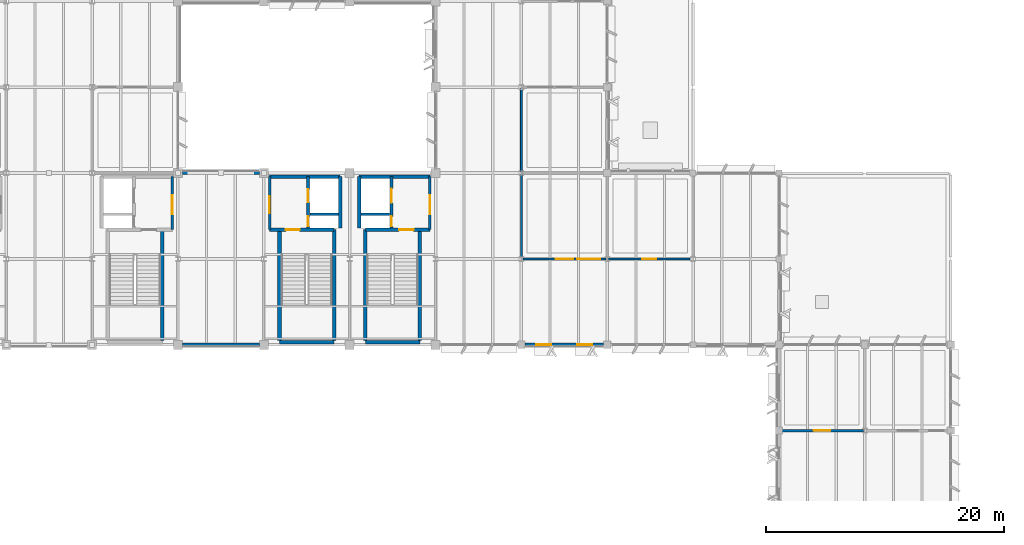
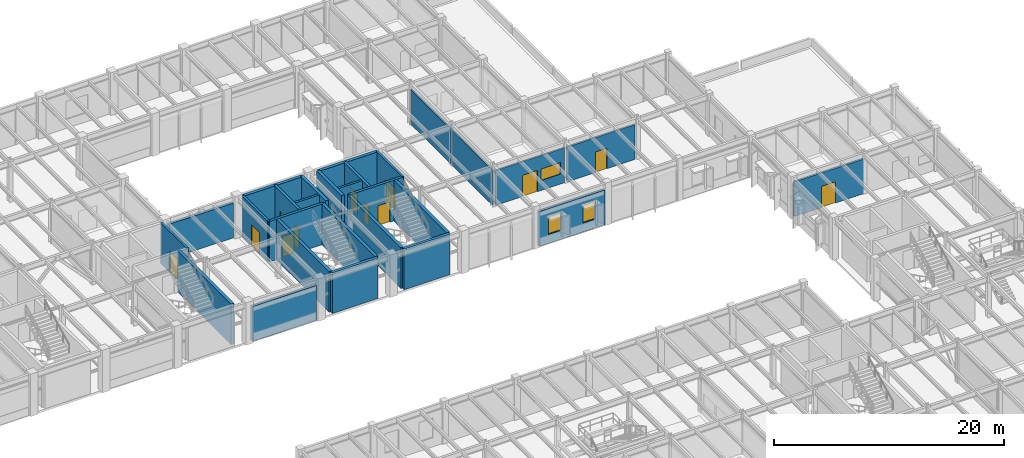
# One storey, part 40 of 92: 28 walls, 12 doors, 3 windows, 15 openings.
"""IFC4 building model written with IfcOpenShell, lengths in metres."""

from ifc_helpers import new_model, si_unit, direction, frame, frame_2d, origin, place, context, subcontext, project, spatial, rectangle, extrude, material, layer, layer_set, type_object, element, fill, save


model = new_model("IFC4")

# Units and contexts
model_context = context("Model", 3, precision=1e-05, world=origin(), true_north=direction((0.0, 1.0)))
body_context = subcontext(model_context, "Body", "Model", "MODEL_VIEW")
ifc_project = project(units=[si_unit("LENGTHUNIT", "METRE"), si_unit("AREAUNIT", "SQUARE_METRE"), si_unit("VOLUMEUNIT", "CUBIC_METRE"), si_unit("PLANEANGLEUNIT", "RADIAN"), si_unit("MASSUNIT", "GRAM", prefix="KILO")], contexts=[model_context])

# Site, building, storey
site_placement = place(None, origin())
site = spatial("IfcSite", under=ifc_project, at=site_placement, CompositionType="ELEMENT")
building_placement = place(site_placement, origin())
building = spatial("IfcBuilding", under=site, at=building_placement, Name="Sillqori Civic Hall", CompositionType="ELEMENT")
storey_placement = place(building_placement, frame((0.0, 0.0, 5.39990234375)))
storey = spatial("IfcBuildingStorey", under=building, at=storey_placement, Name="L02", CompositionType="ELEMENT", Elevation=5.39990234375)

# Wall, opening, door
ifc_material_1 = material(Name="Concrete C35/45 (H35)", Category="concrete")
ifc_layer_1 = layer(ifc_material_1, 0.219970703125)
ifc_layer_set_1 = layer_set([ifc_layer_1], Name="Concrete C35/45 (H35)")
wall_type_1 = type_object("IfcWallType", Name="CW-SHR-220", PredefinedType="SHEAR", material=ifc_layer_set_1)
wall_1_placement = place(storey_placement, frame((71.52001953125, 93.300048828125, 0.0), z_axis=(0.0, 0.0, 1.0), x_axis=(0.0, -1.0, 0.0)))
wall_1 = element("IfcWall", 1, at=wall_1_placement, inside=storey, type_object=wall_type_1, Name="L02 C6 firefighting lobby enclosure wall", PredefinedType="SHEAR", context=body_context, shape_type="SweptSolid", body=[
    extrude(rectangle(XDim=4.449951171875, YDim=0.219970703125, at=frame_2d((2.22509765625, 0.0))), origin(), (0.0, 0.0, 1.0), 4.300048828125),
])
opening_1_placement = place(wall_1_placement, frame((1.550048828125, 0.0, 0.0)))
opening_1 = element("IfcOpeningElement", 2, at=opening_1_placement, cuts=wall_1, Name="Opening FD-04", PredefinedType="OPENING", context=body_context, shape_type="SweptSolid", body=[
    extrude(rectangle(XDim=1.60009765625, YDim=2.199951171875, at=frame_2d((0.800048828125, 1.10009765625))), frame((0.0, 0.119873046875, 0.0), z_axis=(0.0, -1.0, 0.0), x_axis=(1.0, 0.0, 0.0)), (0.0, 0.0, 1.0), 0.239990234375),
])
ifc_material_2 = material(Name="Double-Leaf Firefighting Lobby Door", Category="steel")
door_type_1 = type_object("IfcDoorType", Name="FDR-LOB-160X220", OperationType="NOTDEFINED", PredefinedType="DOOR", material=ifc_material_2)
door_1_placement = place(opening_1_placement, origin())
door_1 = element("IfcDoor", 3, at=door_1_placement, inside=storey, type_object=door_type_1, Name="L02 C6 firefighting lobby exit door", OperationType="DOUBLE_DOOR_SINGLE_SWING", OverallHeight=2.199951171875, OverallWidth=1.60009765625, PredefinedType="DOOR", context=body_context, shape_type="SweptSolid", body=[
    extrude(rectangle(XDim=1.60009765625, YDim=2.199951171875, at=frame_2d((0.800048828125, 1.10009765625))), frame((0.0, 0.02490234375, 0.0), z_axis=(0.0, -1.0, 0.0), x_axis=(1.0, 0.0, 0.0)), (0.0, 0.0, 1.0), 0.050048828125),
])
fill(opening_1, door_1)

# Wall
wall_2_placement = place(storey_placement, frame((83.050048828125, 90.14990234375, 0.0), z_axis=(0.0, 0.0, 1.0), x_axis=(1.0, 0.0, 0.0)))
element("IfcWall", 4, at=wall_2_placement, inside=storey, type_object=wall_type_1, Name="L02 C7 Lift-riser divider wall", PredefinedType="SHEAR", context=body_context, shape_type="SweptSolid", body=[
    extrude(rectangle(XDim=2.39990234375, YDim=0.219970703125, at=frame_2d((1.199951171875, 0.0))), origin(), (0.0, 0.0, 1.0), 4.300048828125),
])

# Wall, opening, door
wall_3_placement = place(storey_placement, frame((79.679931640625, 88.85009765625, 0.0), z_axis=(0.0, 0.0, 1.0), x_axis=(0.0, 1.0, 0.0)))
wall_3 = element("IfcWall", 5, at=wall_3_placement, inside=storey, type_object=wall_type_1, Name="L02 C7 firefighting lobby enclosure wall", PredefinedType="SHEAR", context=body_context, shape_type="SweptSolid", body=[
    extrude(rectangle(XDim=4.449951171875, YDim=0.219970703125, at=frame_2d((2.22509765625, 0.0))), origin(), (0.0, 0.0, 1.0), 4.300048828125),
])
opening_2_placement = place(wall_3_placement, frame((1.375, 0.0, 0.0)))
opening_2 = element("IfcOpeningElement", 6, at=opening_2_placement, cuts=wall_3, Name="Opening FD-03", PredefinedType="OPENING", context=body_context, shape_type="SweptSolid", body=[
    extrude(rectangle(XDim=1.449951171875, YDim=2.199951171875, at=frame_2d((0.72509765625, 1.10009765625))), frame((0.0, 0.119873046875, 0.0), z_axis=(0.0, -1.0, 0.0), x_axis=(1.0, 0.0, 0.0)), (0.0, 0.0, 1.0), 0.239990234375),
])
ifc_material_3 = material(Name="Double-Leaf Smoke-Seal Lobby Door", Category="steel")
door_type_2 = type_object("IfcDoorType", Name="FDR-LOB-145X220", OperationType="NOTDEFINED", PredefinedType="DOOR", material=ifc_material_3)
door_2_placement = place(opening_2_placement, origin())
door_2 = element("IfcDoor", 7, at=door_2_placement, inside=storey, type_object=door_type_2, Name="L02 C7 firefighting lobby exit door", OperationType="DOUBLE_DOOR_SINGLE_SWING", OverallHeight=2.199951171875, OverallWidth=1.449951171875, PredefinedType="DOOR", context=body_context, shape_type="SweptSolid", body=[
    extrude(rectangle(XDim=1.449951171875, YDim=2.199951171875, at=frame_2d((0.72509765625, 1.10009765625))), frame((0.0, 0.02490234375, 0.0), z_axis=(0.0, -1.0, 0.0), x_axis=(1.0, 0.0, 0.0)), (0.0, 0.0, 1.0), 0.050048828125),
])
fill(opening_2, door_2)

# Wall
wall_4_placement = place(storey_placement, frame((87.35009765625, 90.14990234375, 0.0), z_axis=(0.0, 0.0, 1.0), x_axis=(1.0, 0.0, 0.0)))
element("IfcWall", 8, at=wall_4_placement, inside=storey, type_object=wall_type_1, Name="L02 C8 Lift-riser divider wall", PredefinedType="SHEAR", context=body_context, shape_type="SweptSolid", body=[
    extrude(rectangle(XDim=2.39990234375, YDim=0.219970703125, at=frame_2d((1.199951171875, 0.0))), origin(), (0.0, 0.0, 1.0), 4.300048828125),
])

# Wall, opening, door
wall_5_placement = place(storey_placement, frame((93.1201171875, 93.300048828125, 0.0), z_axis=(0.0, 0.0, 1.0), x_axis=(0.0, -1.0, 0.0)))
wall_5 = element("IfcWall", 9, at=wall_5_placement, inside=storey, type_object=wall_type_1, Name="L02 C8 firefighting lobby enclosure wall", PredefinedType="SHEAR", context=body_context, shape_type="SweptSolid", body=[
    extrude(rectangle(XDim=4.449951171875, YDim=0.219970703125, at=frame_2d((2.22509765625, 0.0))), origin(), (0.0, 0.0, 1.0), 4.300048828125),
])
opening_3_placement = place(wall_5_placement, frame((1.550048828125, 0.0, 0.0)))
opening_3 = element("IfcOpeningElement", 10, at=opening_3_placement, cuts=wall_5, Name="Opening FD-04", PredefinedType="OPENING", context=body_context, shape_type="SweptSolid", body=[
    extrude(rectangle(XDim=1.60009765625, YDim=2.199951171875, at=frame_2d((0.800048828125, 1.10009765625))), frame((0.0, 0.119873046875, 0.0), z_axis=(0.0, -1.0, 0.0), x_axis=(1.0, 0.0, 0.0)), (0.0, 0.0, 1.0), 0.239990234375),
])
door_3_placement = place(opening_3_placement, origin())
door_3 = element("IfcDoor", 11, at=door_3_placement, inside=storey, type_object=door_type_1, Name="L02 C8 firefighting lobby exit door", OperationType="DOUBLE_DOOR_SINGLE_SWING", OverallHeight=2.199951171875, OverallWidth=1.60009765625, PredefinedType="DOOR", context=body_context, shape_type="SweptSolid", body=[
    extrude(rectangle(XDim=1.60009765625, YDim=2.199951171875, at=frame_2d((0.800048828125, 1.10009765625))), frame((0.0, 0.02490234375, 0.0), z_axis=(0.0, -1.0, 0.0), x_axis=(1.0, 0.0, 0.0)), (0.0, 0.0, 1.0), 0.050048828125),
])
fill(opening_3, door_3)

ifc_layer_2 = layer(ifc_material_1, 0.260009765625)
ifc_layer_set_2 = layer_set([ifc_layer_2], Name="Concrete C35/45 (H35)")
wall_type_2 = type_object("IfcWallType", Name="CW-SHR-260", PredefinedType="SHEAR", material=ifc_layer_set_2)
wall_6_placement = place(storey_placement, frame((79.679931640625, 88.85009765625, 0.0), z_axis=(0.0, 0.0, 1.0), x_axis=(1.0, 0.0, 0.0)))
wall_6 = element("IfcWall", 12, at=wall_6_placement, inside=storey, type_object=wall_type_2, Name="L02 C7 Stair-lobby fire wall", PredefinedType="SHEAR", context=body_context, shape_type="SweptSolid", body=[
    extrude(rectangle(XDim=5.41015625, YDim=0.260009765625, at=frame_2d((2.705078125, 0.0))), origin(), (0.0, 0.0, 1.0), 4.300048828125),
])
opening_4_placement = place(wall_6_placement, frame((1.3701171875, 0.0, 0.0)))
opening_4 = element("IfcOpeningElement", 13, at=opening_4_placement, cuts=wall_6, Name="Opening FD-01", PredefinedType="OPENING", context=body_context, shape_type="SweptSolid", body=[
    extrude(rectangle(XDim=1.14990234375, YDim=2.14990234375, at=frame_2d((0.574951171875, 1.074951171875))), frame((0.0, 0.139892578125, 0.0), z_axis=(0.0, -1.0, 0.0), x_axis=(1.0, 0.0, 0.0)), (0.0, 0.0, 1.0), 0.280029296875),
])
ifc_material_4 = material(Name="Galvanized Steel Fire Door FD90S", Category="steel")
door_type_3 = type_object("IfcDoorType", Name="FDR-STR-115X215", OperationType="NOTDEFINED", PredefinedType="DOOR", material=ifc_material_4)
door_4_placement = place(opening_4_placement, origin())
door_4 = element("IfcDoor", 14, at=door_4_placement, inside=storey, type_object=door_type_3, Name="L02 stair ST-07 fire door", OperationType="SINGLE_SWING_RIGHT", OverallHeight=2.14990234375, OverallWidth=1.14990234375, PredefinedType="DOOR", context=body_context, shape_type="SweptSolid", body=[
    extrude(rectangle(XDim=1.14990234375, YDim=2.14990234375, at=frame_2d((0.574951171875, 1.074951171875))), frame((0.0, 0.02490234375, 0.0), z_axis=(0.0, -1.0, 0.0), x_axis=(1.0, 0.0, 0.0)), (0.0, 0.0, 1.0), 0.050048828125),
])
fill(opening_4, door_4)

# Wall, openings, doors
wall_7_placement = place(storey_placement, frame((82.89990234375, 88.97998046875, 0.0), z_axis=(0.0, 0.0, 1.0), x_axis=(0.0, 1.0, 0.0)))
wall_7 = element("IfcWall", 15, at=wall_7_placement, inside=storey, type_object=wall_type_2, Name="L02 C7 Lift landing & riser front wall", PredefinedType="SHEAR", context=body_context, shape_type="SweptSolid", body=[
    extrude(rectangle(XDim=4.320068359375, YDim=0.260009765625, at=frame_2d((2.16015625, 0.0))), origin(), (0.0, 0.0, 1.0), 4.300048828125),
])
opening_5_placement = place(wall_7_placement, frame((2.169921875, 0.0, 0.0)))
opening_5 = element("IfcOpeningElement", 16, at=opening_5_placement, cuts=wall_7, Name="Opening LD-01", PredefinedType="OPENING", context=body_context, shape_type="SweptSolid", body=[
    extrude(rectangle(XDim=1.10009765625, YDim=2.14990234375, at=frame_2d((0.550048828125, 1.074951171875))), frame((0.0, 0.139892578125, 0.0), z_axis=(0.0, -1.0, 0.0), x_axis=(1.0, 0.0, 0.0)), (0.0, 0.0, 1.0), 0.280029296875),
])
opening_6_placement = place(wall_7_placement, frame((0.14501953125, 0.0, 0.0)))
opening_6 = element("IfcOpeningElement", 17, at=opening_6_placement, cuts=wall_7, Name="Opening FD-05", PredefinedType="OPENING", context=body_context, shape_type="SweptSolid", body=[
    extrude(rectangle(XDim=0.85009765625, YDim=2.050048828125, at=frame_2d((0.425048828125, 1.02490234375))), frame((0.0, 0.139892578125, 0.0), z_axis=(0.0, -1.0, 0.0), x_axis=(1.0, 0.0, 0.0)), (0.0, 0.0, 1.0), 0.280029296875),
])
ifc_material_5 = material(Name="Steel Riser Access Fire Door", Category="steel")
door_type_4 = type_object("IfcDoorType", Name="FDR-RSR-085X205", OperationType="NOTDEFINED", PredefinedType="DOOR", material=ifc_material_5)
door_5_placement = place(opening_6_placement, origin())
door_5 = element("IfcDoor", 18, at=door_5_placement, inside=storey, type_object=door_type_4, Name="L02 MEP riser C7 fire access door", OperationType="SINGLE_SWING_LEFT", OverallHeight=2.050048828125, OverallWidth=0.85009765625, PredefinedType="DOOR", context=body_context, shape_type="SweptSolid", body=[
    extrude(rectangle(XDim=0.85009765625, YDim=2.050048828125, at=frame_2d((0.425048828125, 1.02490234375))), frame((0.0, 0.02490234375, 0.0), z_axis=(0.0, -1.0, 0.0), x_axis=(1.0, 0.0, 0.0)), (0.0, 0.0, 1.0), 0.050048828125),
])
fill(opening_6, door_5)
ifc_material_6 = material(Name="Stainless Steel Lift Landing Door", Category="steel")
door_type_5 = type_object("IfcDoorType", Name="LDR-PASS-110X215", OperationType="NOTDEFINED", PredefinedType="DOOR", material=ifc_material_6)
door_6_placement = place(opening_5_placement, origin())
door_6 = element("IfcDoor", 19, at=door_6_placement, inside=storey, type_object=door_type_5, Name="L02 lift LF-04 sliding landing door", OperationType="DOUBLE_DOOR_SLIDING", OverallHeight=2.14990234375, OverallWidth=1.10009765625, PredefinedType="DOOR", context=body_context, shape_type="SweptSolid", body=[
    extrude(rectangle(XDim=1.10009765625, YDim=2.14990234375, at=frame_2d((0.550048828125, 1.074951171875))), frame((0.0, 0.02490234375, 0.0), z_axis=(0.0, -1.0, 0.0), x_axis=(1.0, 0.0, 0.0)), (0.0, 0.0, 1.0), 0.050048828125),
])
fill(opening_5, door_6)

# Wall, opening, door
wall_8_placement = place(storey_placement, frame((87.7099609375, 88.85009765625, 0.0), z_axis=(0.0, 0.0, 1.0), x_axis=(1.0, 0.0, 0.0)))
wall_8 = element("IfcWall", 20, at=wall_8_placement, inside=storey, type_object=wall_type_2, Name="L02 C8 Stair-lobby fire wall", PredefinedType="SHEAR", context=body_context, shape_type="SweptSolid", body=[
    extrude(rectangle(XDim=5.41015625, YDim=0.260009765625, at=frame_2d((2.705078125, 0.0))), origin(), (0.0, 0.0, 1.0), 4.300048828125),
])
opening_7_placement = place(wall_8_placement, frame((2.840087890625, 0.0, 0.0)))
opening_7 = element("IfcOpeningElement", 21, at=opening_7_placement, cuts=wall_8, Name="Opening FD-02", PredefinedType="OPENING", context=body_context, shape_type="SweptSolid", body=[
    extrude(rectangle(XDim=1.219970703125, YDim=2.14990234375, at=frame_2d((0.60986328125, 1.074951171875))), frame((0.0, 0.139892578125, 0.0), z_axis=(0.0, -1.0, 0.0), x_axis=(1.0, 0.0, 0.0)), (0.0, 0.0, 1.0), 0.280029296875),
])
ifc_material_7 = material(Name="Galvanized Steel Fire Door FD120S", Category="steel")
door_type_6 = type_object("IfcDoorType", Name="FDR-STR-122X215", OperationType="NOTDEFINED", PredefinedType="DOOR", material=ifc_material_7)
door_7_placement = place(opening_7_placement, origin())
door_7 = element("IfcDoor", 22, at=door_7_placement, inside=storey, type_object=door_type_6, Name="L02 stair ST-08 fire door", OperationType="SINGLE_SWING_RIGHT", OverallHeight=2.14990234375, OverallWidth=1.219970703125, PredefinedType="DOOR", context=body_context, shape_type="SweptSolid", body=[
    extrude(rectangle(XDim=1.219970703125, YDim=2.14990234375, at=frame_2d((0.60986328125, 1.074951171875))), frame((0.0, 0.02490234375, 0.0), z_axis=(0.0, -1.0, 0.0), x_axis=(1.0, 0.0, 0.0)), (0.0, 0.0, 1.0), 0.050048828125),
])
fill(opening_7, door_7)

# Wall, openings, doors
wall_9_placement = place(storey_placement, frame((89.89990234375, 93.300048828125, 0.0), z_axis=(0.0, 0.0, 1.0), x_axis=(0.0, -1.0, 0.0)))
wall_9 = element("IfcWall", 23, at=wall_9_placement, inside=storey, type_object=wall_type_2, Name="L02 C8 Lift landing & riser front wall", PredefinedType="SHEAR", context=body_context, shape_type="SweptSolid", body=[
    extrude(rectangle(XDim=4.320068359375, YDim=0.260009765625, at=frame_2d((2.16015625, 0.0))), origin(), (0.0, 0.0, 1.0), 4.300048828125),
])
opening_8_placement = place(wall_9_placement, frame((1.0, 0.0, 0.0)))
opening_8 = element("IfcOpeningElement", 24, at=opening_8_placement, cuts=wall_9, Name="Opening LD-02", PredefinedType="OPENING", context=body_context, shape_type="SweptSolid", body=[
    extrude(rectangle(XDim=1.199951171875, YDim=2.14990234375, at=frame_2d((0.60009765625, 1.074951171875))), frame((0.0, 0.139892578125, 0.0), z_axis=(0.0, -1.0, 0.0), x_axis=(1.0, 0.0, 0.0)), (0.0, 0.0, 1.0), 0.280029296875),
])
opening_9_placement = place(wall_9_placement, frame((3.324951171875, 0.0, 0.0)))
opening_9 = element("IfcOpeningElement", 25, at=opening_9_placement, cuts=wall_9, Name="Opening FD-05", PredefinedType="OPENING", context=body_context, shape_type="SweptSolid", body=[
    extrude(rectangle(XDim=0.85009765625, YDim=2.050048828125, at=frame_2d((0.425048828125, 1.02490234375))), frame((0.0, 0.139892578125, 0.0), z_axis=(0.0, -1.0, 0.0), x_axis=(1.0, 0.0, 0.0)), (0.0, 0.0, 1.0), 0.280029296875),
])
door_8_placement = place(opening_9_placement, origin())
door_8 = element("IfcDoor", 26, at=door_8_placement, inside=storey, type_object=door_type_4, Name="L02 MEP riser C8 fire access door", OperationType="SINGLE_SWING_LEFT", OverallHeight=2.050048828125, OverallWidth=0.85009765625, PredefinedType="DOOR", context=body_context, shape_type="SweptSolid", body=[
    extrude(rectangle(XDim=0.85009765625, YDim=2.050048828125, at=frame_2d((0.425048828125, 1.02490234375))), frame((0.0, 0.02490234375, 0.0), z_axis=(0.0, -1.0, 0.0), x_axis=(1.0, 0.0, 0.0)), (0.0, 0.0, 1.0), 0.050048828125),
])
fill(opening_9, door_8)
ifc_material_8 = material(Name="Firefighting Lift Landing Door", Category="steel")
door_type_7 = type_object("IfcDoorType", Name="LDR-FIRE-120X215", OperationType="NOTDEFINED", PredefinedType="DOOR", material=ifc_material_8)
door_9_placement = place(opening_8_placement, origin())
door_9 = element("IfcDoor", 27, at=door_9_placement, inside=storey, type_object=door_type_7, Name="L02 lift LF-02 sliding landing door", OperationType="DOUBLE_DOOR_SLIDING", OverallHeight=2.14990234375, OverallWidth=1.199951171875, PredefinedType="DOOR", context=body_context, shape_type="SweptSolid", body=[
    extrude(rectangle(XDim=1.199951171875, YDim=2.14990234375, at=frame_2d((0.60009765625, 1.074951171875))), frame((0.0, 0.02490234375, 0.0), z_axis=(0.0, -1.0, 0.0), x_axis=(1.0, 0.0, 0.0)), (0.0, 0.0, 1.0), 0.050048828125),
])
fill(opening_8, door_9)

# Walls
ifc_layer_3 = layer(ifc_material_1, 0.300048828125)
ifc_layer_set_3 = layer_set([ifc_layer_3], Name="Concrete C35/45 (H35)")
wall_type_3 = type_object("IfcWallType", Name="CW-SHR-300", PredefinedType="SHEAR", material=ifc_layer_set_3)
wall_10_placement = place(storey_placement, frame((70.68994140625, 79.550048828125, 0.0), z_axis=(0.0, 0.0, 1.0), x_axis=(0.0, 1.0, 0.0)))
element("IfcWall", 28, at=wall_10_placement, inside=storey, type_object=wall_type_3, Name="L02 C6 Stair east shear wall", PredefinedType="SHEAR", context=body_context, shape_type="SweptSolid", body=[
    extrude(rectangle(XDim=9.300048828125, YDim=0.300048828125, at=frame_2d((4.64990234375, 0.0))), origin(), (0.0, 0.0, 1.0), 4.300048828125),
])
wall_11_placement = place(storey_placement, frame((80.510009765625, 79.39990234375, 0.0), z_axis=(0.0, 0.0, 1.0), x_axis=(1.0, 0.0, 0.0)))
element("IfcWall", 29, at=wall_11_placement, inside=storey, type_object=wall_type_3, Name="L02 C7 Stair south shear wall", PredefinedType="SHEAR", context=body_context, shape_type="SweptSolid", body=[
    extrude(rectangle(XDim=4.580078125, YDim=0.300048828125, at=frame_2d((2.2900390625, 0.0))), origin(), (0.0, 0.0, 1.0), 4.300048828125),
])
for number, where, z_axis, x_axis, name in (
    (30, (80.510009765625, 79.550048828125, 0.0), (0.0, 0.0, 1.0), (0.0, 1.0, 0.0), "L02 C7 Stair west shear wall"),
    (31, (85.090087890625, 79.550048828125, 0.0), (0.0, 0.0, 1.0), (0.0, 1.0, 0.0), "L02 C7 Stair east shear wall"),
):
    element("IfcWall", number, at=place(storey_placement, frame(where, z_axis=z_axis, x_axis=x_axis)), inside=storey, type_object=wall_type_3, Name=name, PredefinedType="SHEAR", context=body_context, shape_type="SweptSolid", body=[
        extrude(rectangle(XDim=9.300048828125, YDim=0.300048828125, at=frame_2d((4.64990234375, 0.0))), origin(), (0.0, 0.0, 1.0), 4.300048828125),
    ])
wall_12_placement = place(storey_placement, frame((85.60009765625, 88.97998046875, 0.0), z_axis=(0.0, 0.0, 1.0), x_axis=(0.0, 1.0, 0.0)))
element("IfcWall", 32, at=wall_12_placement, inside=storey, type_object=wall_type_3, Name="L02 C7 Lift shaft east shear wall", PredefinedType="SHEAR", context=body_context, shape_type="SweptSolid", body=[
    extrude(rectangle(XDim=4.320068359375, YDim=0.300048828125, at=frame_2d((2.16015625, 0.0))), origin(), (0.0, 0.0, 1.0), 4.300048828125),
])
wall_13_placement = place(storey_placement, frame((79.679931640625, 93.300048828125, 0.0), z_axis=(0.0, 0.0, 1.0), x_axis=(1.0, 0.0, 0.0)))
element("IfcWall", 33, at=wall_13_placement, inside=storey, type_object=wall_type_3, Name="L02 C7 Core north shear wall", PredefinedType="SHEAR", context=body_context, shape_type="SweptSolid", body=[
    extrude(rectangle(XDim=5.920166015625, YDim=0.300048828125, at=frame_2d((2.9599609375, 0.0))), origin(), (0.0, 0.0, 1.0), 4.300048828125),
])
wall_14_placement = place(storey_placement, frame((87.7099609375, 79.39990234375, 0.0), z_axis=(0.0, 0.0, 1.0), x_axis=(1.0, 0.0, 0.0)))
element("IfcWall", 34, at=wall_14_placement, inside=storey, type_object=wall_type_3, Name="L02 C8 Stair south shear wall", PredefinedType="SHEAR", context=body_context, shape_type="SweptSolid", body=[
    extrude(rectangle(XDim=4.580078125, YDim=0.300048828125, at=frame_2d((2.2900390625, 0.0))), origin(), (0.0, 0.0, 1.0), 4.300048828125),
])
for number, where, z_axis, x_axis, name in (
    (35, (87.7099609375, 79.550048828125, 0.0), (0.0, 0.0, 1.0), (0.0, 1.0, 0.0), "L02 C8 Stair west shear wall"),
    (36, (92.2900390625, 79.550048828125, 0.0), (0.0, 0.0, 1.0), (0.0, 1.0, 0.0), "L02 C8 Stair east shear wall"),
):
    element("IfcWall", number, at=place(storey_placement, frame(where, z_axis=z_axis, x_axis=x_axis)), inside=storey, type_object=wall_type_3, Name=name, PredefinedType="SHEAR", context=body_context, shape_type="SweptSolid", body=[
        extrude(rectangle(XDim=9.300048828125, YDim=0.300048828125, at=frame_2d((4.64990234375, 0.0))), origin(), (0.0, 0.0, 1.0), 4.300048828125),
    ])
wall_15_placement = place(storey_placement, frame((87.199951171875, 88.97998046875, 0.0), z_axis=(0.0, 0.0, 1.0), x_axis=(0.0, 1.0, 0.0)))
element("IfcWall", 37, at=wall_15_placement, inside=storey, type_object=wall_type_3, Name="L02 C8 Lift shaft west shear wall", PredefinedType="SHEAR", context=body_context, shape_type="SweptSolid", body=[
    extrude(rectangle(XDim=4.320068359375, YDim=0.300048828125, at=frame_2d((2.16015625, 0.0))), origin(), (0.0, 0.0, 1.0), 4.300048828125),
])
wall_16_placement = place(storey_placement, frame((87.199951171875, 93.300048828125, 0.0), z_axis=(0.0, 0.0, 1.0), x_axis=(1.0, 0.0, 0.0)))
element("IfcWall", 38, at=wall_16_placement, inside=storey, type_object=wall_type_3, Name="L02 C8 Core north shear wall", PredefinedType="SHEAR", context=body_context, shape_type="SweptSolid", body=[
    extrude(rectangle(XDim=5.920166015625, YDim=0.300048828125, at=frame_2d((2.9599609375, 0.0))), origin(), (0.0, 0.0, 1.0), 4.300048828125),
])
ifc_material_9 = material(Name="Precast concrete C40/50 (H40)", Category="concrete")
ifc_layer_4 = layer(ifc_material_9, 0.280029296875)
ifc_layer_set_4 = layer_set([ifc_layer_4], Name="Precast concrete C40/50 (H40)")
wall_type_4 = type_object("IfcWallType", Name="EW-LIME-280", PredefinedType="SOLIDWALL", material=ifc_layer_set_4)
for number, where, z_axis, x_axis, name in (
    (39, (78.824951171875, 79.199951171875, 0.0), (0.0, 0.0, 1.0), (-1.0, 0.0, 0.0), "L02 V4 exterior wall L02-10-11-S"),
    (40, (72.375, 93.60009765625, 0.0), (0.0, 0.0, 1.0), (1.0, 0.0, 0.0), "L02 V4 exterior wall L02-10-12-N"),
):
    element("IfcWall", number, at=place(storey_placement, frame(where, z_axis=z_axis, x_axis=x_axis)), inside=storey, type_object=wall_type_4, Name=name, PredefinedType="SOLIDWALL", context=body_context, shape_type="SweptSolid", body=[
        extrude(rectangle(XDim=6.449951171875, YDim=0.280029296875, at=frame_2d((3.22509765625, 0.0))), origin(), (0.0, 0.0, 1.0), 3.697998046875),
    ])

# Wall, openings, windows
wall_17_placement = place(storey_placement, frame((107.699951171875, 79.199951171875, 0.0), z_axis=(0.0, 0.0, 1.0), x_axis=(-1.0, 0.0, 0.0)))
wall_17 = element("IfcWall", 41, at=wall_17_placement, inside=storey, type_object=wall_type_4, Name="L02 V4 exterior wall L02-14-11-S", PredefinedType="SOLIDWALL", context=body_context, shape_type="SweptSolid", body=[
    extrude(rectangle(XDim=6.599853515625, YDim=0.280029296875, at=frame_2d((3.2998046875, 0.0))), origin(), (0.0, 0.0, 1.0), 3.697998046875),
])
opening_10_placement = place(wall_17_placement, frame((0.958984375, 0.0, 0.949951171875)))
opening_10 = element("IfcOpeningElement", 42, at=opening_10_placement, cuts=wall_17, Name="Opening W-41", PredefinedType="OPENING", context=body_context, shape_type="SweptSolid", body=[
    extrude(rectangle(XDim=1.25, YDim=1.85009765625, at=frame_2d((0.625, 0.925048828125))), frame((0.0, 0.14990234375, 0.0), z_axis=(0.0, -1.0, 0.0), x_axis=(1.0, 0.0, 0.0)), (0.0, 0.0, 1.0), 0.300048828125),
])
opening_11_placement = place(wall_17_placement, frame((4.39111328125, 0.0, 0.949951171875)))
opening_11 = element("IfcOpeningElement", 43, at=opening_11_placement, cuts=wall_17, Name="Opening W-41", PredefinedType="OPENING", context=body_context, shape_type="SweptSolid", body=[
    extrude(rectangle(XDim=1.25, YDim=1.85009765625, at=frame_2d((0.625, 0.925048828125))), frame((0.0, 0.14990234375, 0.0), z_axis=(0.0, -1.0, 0.0), x_axis=(1.0, 0.0, 0.0)), (0.0, 0.0, 1.0), 0.300048828125),
])
ifc_material_10 = material(Name="Thermally Broken Aluminium Low-E Window", Category="aluminium")
window_type_1 = type_object("IfcWindowType", Name="WIN-GD-125X185", PartitioningType="SINGLE_PANEL", PredefinedType="WINDOW", material=ifc_material_10)
window_1_placement = place(opening_10_placement, origin())
window_1 = element("IfcWindow", 44, at=window_1_placement, inside=storey, type_object=window_type_1, Name="L02 V4 window L02-14-11-S.1", OverallHeight=1.85009765625, OverallWidth=1.25, PartitioningType="SINGLE_PANEL", PredefinedType="WINDOW", context=body_context, shape_type="SweptSolid", body=[
    extrude(rectangle(XDim=1.25, YDim=1.85009765625, at=frame_2d((0.625, 0.925048828125))), frame((0.0, 0.030029296875, 0.0), z_axis=(0.0, -1.0, 0.0), x_axis=(1.0, 0.0, 0.0)), (0.0, 0.0, 1.0), 0.06005859375),
])
fill(opening_10, window_1)
window_2_placement = place(opening_11_placement, origin())
window_2 = element("IfcWindow", 45, at=window_2_placement, inside=storey, type_object=window_type_1, Name="L02 V4 window L02-14-11-S.2", OverallHeight=1.85009765625, OverallWidth=1.25, PartitioningType="SINGLE_PANEL", PredefinedType="WINDOW", context=body_context, shape_type="SweptSolid", body=[
    extrude(rectangle(XDim=1.25, YDim=1.85009765625, at=frame_2d((0.625, 0.925048828125))), frame((0.0, 0.030029296875, 0.0), z_axis=(0.0, -1.0, 0.0), x_axis=(1.0, 0.0, 0.0)), (0.0, 0.0, 1.0), 0.06005859375),
])
fill(opening_11, window_2)

# Wall, openings, door, window
ifc_material_11 = material(Name="Hearing Acoustic Partition 154", Category="gypsum")
ifc_layer_5 = layer(ifc_material_11, 0.154052734375)
ifc_layer_set_5 = layer_set([ifc_layer_5], Name="Hearing Acoustic Partition 154")
wall_type_5 = type_object("IfcWallType", Name="PT-GYP-154", PredefinedType="PARTITIONING", material=ifc_layer_set_5)
wall_18_placement = place(storey_placement, frame((107.8798828125, 86.39990234375, 0.0), z_axis=(0.0, 0.0, 1.0), x_axis=(-1.0, 0.0, 0.0)))
wall_18 = element("IfcWall", 46, at=wall_18_placement, inside=storey, type_object=wall_type_5, Name="Staff Seminar and Civic Training Classroom L02-08 partition S1", PredefinedType="PARTITIONING", context=body_context, shape_type="SweptSolid", body=[
    extrude(rectangle(XDim=6.9599609375, YDim=0.154052734375, at=frame_2d((3.47998046875, 0.0))), origin(), (0.0, 0.0, 1.0), 3.68798828125),
])
opening_12_placement = place(wall_18_placement, frame((2.739990234375, 0.0, 0.0)))
opening_12 = element("IfcOpeningElement", 47, at=opening_12_placement, cuts=wall_18, Name="Opening ID-12", PredefinedType="OPENING", context=body_context, shape_type="SweptSolid", body=[
    extrude(rectangle(XDim=1.47998046875, YDim=2.25, at=frame_2d((0.739990234375, 1.125))), frame((0.0, 0.0869140625, 0.0), z_axis=(0.0, -1.0, 0.0), x_axis=(1.0, 0.0, 0.0)), (0.0, 0.0, 1.0), 0.174072265625),
])
opening_13_placement = place(wall_18_placement, frame((0.449951171875, 0.0, 1.050048828125)))
opening_13 = element("IfcOpeningElement", 48, at=opening_13_placement, cuts=wall_18, Name="Opening IW-17", PredefinedType="OPENING", context=body_context, shape_type="SweptSolid", body=[
    extrude(rectangle(XDim=1.949951171875, YDim=1.219970703125, at=frame_2d((0.97509765625, 0.60986328125))), frame((0.0, 0.0869140625, 0.0), z_axis=(0.0, -1.0, 0.0), x_axis=(1.0, 0.0, 0.0)), (0.0, 0.0, 1.0), 0.174072265625),
])
ifc_material_12 = material(Name="Civic Training Classroom Door", Category="timber")
door_type_8 = type_object("IfcDoorType", Name="IDR-TRN-148X225", OperationType="NOTDEFINED", PredefinedType="DOOR", material=ifc_material_12)
door_10_placement = place(opening_12_placement, origin())
door_10 = element("IfcDoor", 49, at=door_10_placement, inside=storey, type_object=door_type_8, Name="Staff Seminar and Civic Training Classroom L02-08 entrance door", OperationType="DOUBLE_DOOR_SINGLE_SWING", OverallHeight=2.25, OverallWidth=1.47998046875, PredefinedType="DOOR", context=body_context, shape_type="SweptSolid", body=[
    extrude(rectangle(XDim=1.47998046875, YDim=2.25, at=frame_2d((0.739990234375, 1.125))), frame((0.0, 0.02490234375, 0.0), z_axis=(0.0, -1.0, 0.0), x_axis=(1.0, 0.0, 0.0)), (0.0, 0.0, 1.0), 0.050048828125),
])
fill(opening_12, door_10)
ifc_material_13 = material(Name="Acoustic Laminated Interior Clerestory Glazing", Category="glass")
window_type_2 = type_object("IfcWindowType", Name="IWN-STU-195X122", PartitioningType="SINGLE_PANEL", PredefinedType="WINDOW", material=ifc_material_13)
window_3_placement = place(opening_13_placement, origin())
window_3 = element("IfcWindow", 50, at=window_3_placement, inside=storey, type_object=window_type_2, Name="Staff Seminar and Civic Training Classroom L02-08 borrowed-light screen", OverallHeight=1.219970703125, OverallWidth=1.949951171875, PartitioningType="SINGLE_PANEL", PredefinedType="WINDOW", context=body_context, shape_type="SweptSolid", body=[
    extrude(rectangle(XDim=1.949951171875, YDim=1.219970703125, at=frame_2d((0.97509765625, 0.60986328125))), frame((0.0, 0.030029296875, 0.0), z_axis=(0.0, -1.0, 0.0), x_axis=(1.0, 0.0, 0.0)), (0.0, 0.0, 1.0), 0.06005859375),
])
fill(opening_13, window_3)

# Walls
wall_19_placement = place(storey_placement, frame((100.800048828125, 86.52001953125, 0.0), z_axis=(0.0, 0.0, 1.0), x_axis=(0.0, 1.0, 0.0)))
element("IfcWall", 51, at=wall_19_placement, inside=storey, type_object=wall_type_5, Name="Staff Seminar and Civic Training Classroom L02-08 partition W3", PredefinedType="PARTITIONING", context=body_context, shape_type="SweptSolid", body=[
    extrude(rectangle(XDim=6.9599609375, YDim=0.154052734375, at=frame_2d((3.47998046875, 0.0))), origin(), (0.0, 0.0, 1.0), 3.68798828125),
])
ifc_material_14 = material(Name="Hearing Acoustic Partition 158", Category="gypsum")
ifc_layer_6 = layer(ifc_material_14, 0.157958984375)
ifc_layer_set_6 = layer_set([ifc_layer_6], Name="Hearing Acoustic Partition 158")
wall_type_6 = type_object("IfcWallType", Name="PT-GYP-158", PredefinedType="PARTITIONING", material=ifc_layer_set_6)
wall_20_placement = place(storey_placement, frame((100.800048828125, 93.719970703125, 0.0), z_axis=(0.0, 0.0, 1.0), x_axis=(0.0, 1.0, 0.0)))
element("IfcWall", 52, at=wall_20_placement, inside=storey, type_object=wall_type_6, Name="Urban Mobility and Transport Directorate L02-09 partition W3", PredefinedType="PARTITIONING", context=body_context, shape_type="SweptSolid", body=[
    extrude(rectangle(XDim=6.9599609375, YDim=0.157958984375, at=frame_2d((3.47998046875, 0.0))), origin(), (0.0, 0.0, 1.0), 3.68798828125),
])

# Wall, opening, door
ifc_material_15 = material(Name="Concrete C25/30 (H25)", Category="concrete")
ifc_layer_7 = layer(ifc_material_15, 0.18505859375)
ifc_layer_set_7 = layer_set([ifc_layer_7], Name="Concrete C25/30 (H25)")
wall_type_7 = type_object("IfcWallType", Name="PT-MAS-185", PredefinedType="PARTITIONING", material=ifc_layer_set_7)
wall_21_placement = place(storey_placement, frame((114.919921875, 86.39990234375, 0.0), z_axis=(0.0, 0.0, 1.0), x_axis=(-1.0, 0.0, 0.0)))
wall_21 = element("IfcWall", 53, at=wall_21_placement, inside=storey, type_object=wall_type_7, Name="Environmental Licensing Review Office L02-11 partition S1", PredefinedType="PARTITIONING", context=body_context, shape_type="SweptSolid", body=[
    extrude(rectangle(XDim=6.7998046875, YDim=0.18505859375, at=frame_2d((3.39990234375, 0.0))), origin(), (0.0, 0.0, 1.0), 3.68798828125),
])
opening_14_placement = place(wall_21_placement, frame((2.830078125, 0.0, 0.0)))
opening_14 = element("IfcOpeningElement", 54, at=opening_14_placement, cuts=wall_21, Name="Opening ID-27", PredefinedType="OPENING", context=body_context, shape_type="SweptSolid", body=[
    extrude(rectangle(XDim=1.139892578125, YDim=2.179931640625, at=frame_2d((0.56982421875, 1.08984375))), frame((0.0, 0.1025390625, 0.0), z_axis=(0.0, -1.0, 0.0), x_axis=(1.0, 0.0, 0.0)), (0.0, 0.0, 1.0), 0.205078125),
])
ifc_material_16 = material(Name="Directorate Cedar Door 1140", Category="timber")
door_type_9 = type_object("IfcDoorType", Name="IDR-DIR-114X218", OperationType="NOTDEFINED", PredefinedType="DOOR", material=ifc_material_16)
door_11_placement = place(opening_14_placement, origin())
door_11 = element("IfcDoor", 55, at=door_11_placement, inside=storey, type_object=door_type_9, Name="Environmental Licensing Review Office L02-11 entrance door", OperationType="SINGLE_SWING_LEFT", OverallHeight=2.179931640625, OverallWidth=1.139892578125, PredefinedType="DOOR", context=body_context, shape_type="SweptSolid", body=[
    extrude(rectangle(XDim=1.139892578125, YDim=2.179931640625, at=frame_2d((0.56982421875, 1.08984375))), frame((0.0, 0.02490234375, 0.0), z_axis=(0.0, -1.0, 0.0), x_axis=(1.0, 0.0, 0.0)), (0.0, 0.0, 1.0), 0.050048828125),
])
fill(opening_14, door_11)

ifc_layer_8 = layer(ifc_material_15, 0.199951171875)
ifc_layer_set_8 = layer_set([ifc_layer_8], Name="Concrete C25/30 (H25)")
wall_type_8 = type_object("IfcWallType", Name="PT-MAS-200", PredefinedType="PARTITIONING", material=ifc_layer_set_8)
wall_22_placement = place(storey_placement, frame((129.47998046875, 72.0, 0.0), z_axis=(0.0, 0.0, 1.0), x_axis=(-1.0, 0.0, 0.0)))
wall_22 = element("IfcWall", 56, at=wall_22_placement, inside=storey, type_object=wall_type_8, Name="Library Open Book Stacks North partition S1", PredefinedType="PARTITIONING", context=body_context, shape_type="SweptSolid", body=[
    extrude(rectangle(XDim=6.9599609375, YDim=0.199951171875, at=frame_2d((3.47998046875, 0.0))), origin(), (0.0, 0.0, 1.0), 3.677978515625),
])
opening_15_placement = place(wall_22_placement, frame((2.780029296875, 0.0, 0.0)))
opening_15 = element("IfcOpeningElement", 57, at=opening_15_placement, cuts=wall_22, Name="Opening ID-10", PredefinedType="OPENING", context=body_context, shape_type="SweptSolid", body=[
    extrude(rectangle(XDim=1.39990234375, YDim=2.25, at=frame_2d((0.699951171875, 1.125))), frame((0.0, 0.10986328125, 0.0), z_axis=(0.0, -1.0, 0.0), x_axis=(1.0, 0.0, 0.0)), (0.0, 0.0, 1.0), 0.219970703125),
])
ifc_material_17 = material(Name="Open Stacks Double Leaf Fire Door", Category="timber")
door_type_10 = type_object("IfcDoorType", Name="IDR-STK-140X225", OperationType="NOTDEFINED", PredefinedType="DOOR", material=ifc_material_17)
door_12_placement = place(opening_15_placement, origin())
door_12 = element("IfcDoor", 58, at=door_12_placement, inside=storey, type_object=door_type_10, Name="Library Open Book Stacks North entrance door", OperationType="DOUBLE_DOOR_SINGLE_SWING", OverallHeight=2.25, OverallWidth=1.39990234375, PredefinedType="DOOR", context=body_context, shape_type="SweptSolid", body=[
    extrude(rectangle(XDim=1.39990234375, YDim=2.25, at=frame_2d((0.699951171875, 1.125))), frame((0.0, 0.02490234375, 0.0), z_axis=(0.0, -1.0, 0.0), x_axis=(1.0, 0.0, 0.0)), (0.0, 0.0, 1.0), 0.050048828125),
])
fill(opening_15, door_12)

save(model, "model.ifc")
